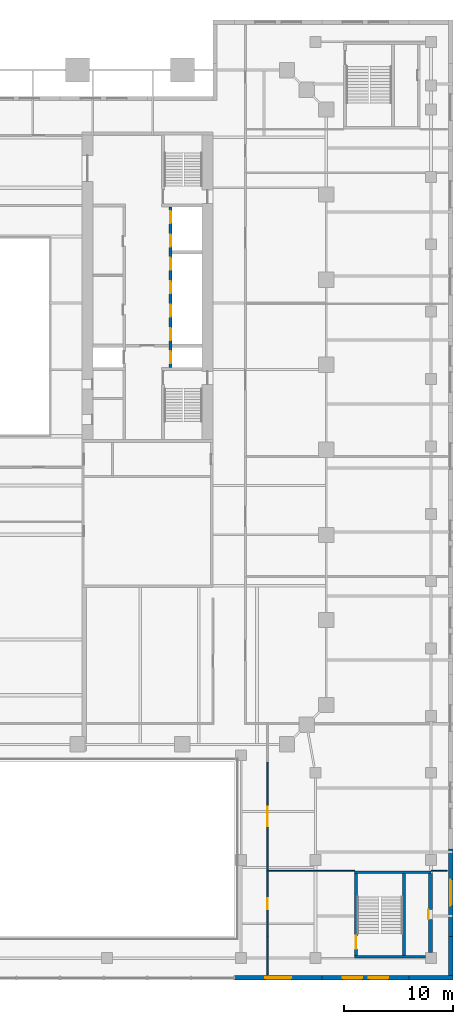
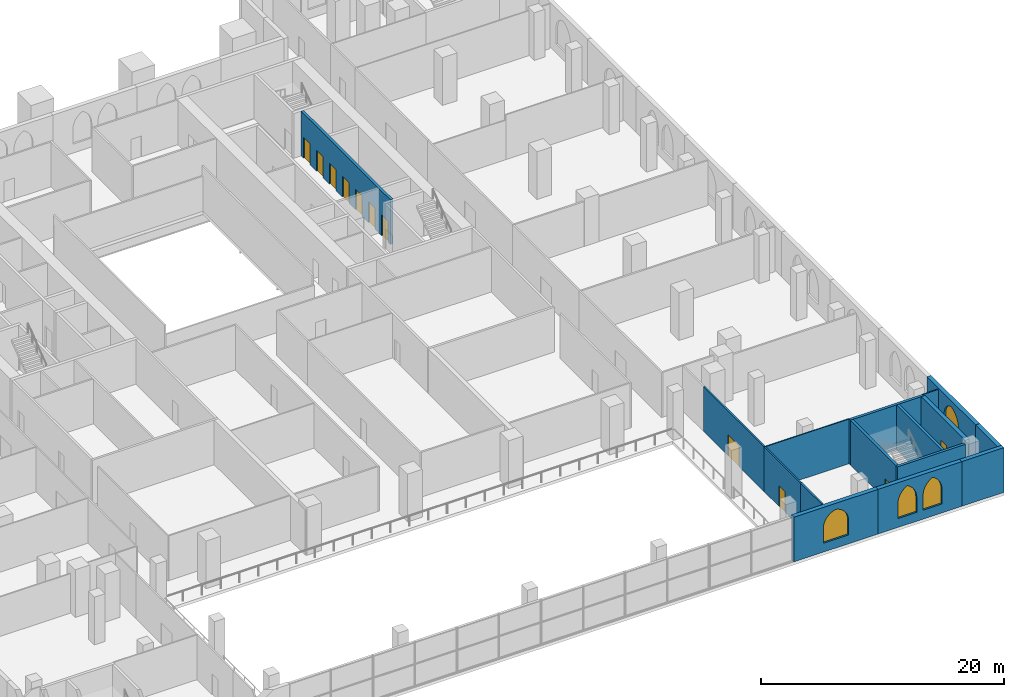
# One storey, part 12 of 19: 16 walls, 11 doors, 4 windows, 15 openings.
"""IFC4 building model written with IfcOpenShell, lengths in metres."""

from ifc_helpers import new_model, si_unit, direction, frame, frame_2d, origin, place, context, subcontext, project, spatial, polyline, rectangle, outline, extrude, material, layer, layer_set, type_object, element, fill, save


model = new_model("IFC4")

# Units and contexts
model_context = context("Model", 3, precision=1e-05, world=origin(), true_north=direction((0.0, 1.0)))
body_context = subcontext(model_context, "Body", "Model", "MODEL_VIEW")
ifc_project = project(units=[si_unit("LENGTHUNIT", "METRE"), si_unit("AREAUNIT", "SQUARE_METRE"), si_unit("VOLUMEUNIT", "CUBIC_METRE"), si_unit("PLANEANGLEUNIT", "RADIAN"), si_unit("MASSUNIT", "GRAM", prefix="KILO")], contexts=[model_context])

# Site, building, storey
site_placement = place(None, origin())
site = spatial("IfcSite", under=ifc_project, at=site_placement, CompositionType="ELEMENT")
building_placement = place(site_placement, origin())
building = spatial("IfcBuilding", under=site, at=building_placement, Name="Ogive Exchange Tower", CompositionType="ELEMENT")
storey_placement = place(building_placement, frame((0.0, 0.0, 19.199951171875)))
storey = spatial("IfcBuildingStorey", under=building, at=storey_placement, Name="L03", CompositionType="ELEMENT", Elevation=19.199951171875)

# Wall
ifc_material_1 = material(Name="Fire partition EI 60 150")
ifc_layer_1 = layer(ifc_material_1, 0.14990234375)
ifc_layer_set_1 = layer_set([ifc_layer_1], Name="Fire partition EI 60 150")
wall_type_1 = type_object("IfcWallType", Name="Fire partition EI 60 150", PredefinedType="PARTITIONING", material=ifc_layer_set_1)
wall_1_placement = place(storey_placement, frame((27.0, -51.5, 0.0), z_axis=(0.0, 0.0, 1.0), x_axis=(0.0, 1.0, 0.0)))
element("IfcWall", 1, at=wall_1_placement, inside=storey, type_object=wall_type_1, Name="L03-PWL-064", PredefinedType="PARTITIONING", context=body_context, shape_type="SweptSolid", body=[
    extrude(rectangle(XDim=3.5, YDim=0.14990234375, at=frame_2d((1.75, 0.0))), origin(), (0.0, 0.0, 1.0), 4.5),
])

# Wall, opening, door
wall_2_placement = place(storey_placement, frame((27.0, -48.0, 0.0), z_axis=(0.0, 0.0, 1.0), x_axis=(0.0, 1.0, 0.0)))
wall_2 = element("IfcWall", 2, at=wall_2_placement, inside=storey, type_object=wall_type_1, Name="L03-PWL-065", PredefinedType="PARTITIONING", context=body_context, shape_type="SweptSolid", body=[
    extrude(rectangle(XDim=6.0, YDim=0.14990234375, at=frame_2d((3.0, 0.0))), origin(), (0.0, 0.0, 1.0), 4.5),
])
opening_1_placement = place(wall_2_placement, frame((2.5, 0.0, 0.0)))
opening_1 = element("IfcOpeningElement", 3, at=opening_1_placement, cuts=wall_2, Name="Opening L03-I16", PredefinedType="OPENING", context=body_context, shape_type="SweptSolid", body=[
    extrude(rectangle(XDim=1.0, YDim=2.10009765625, at=frame_2d((0.5, 1.050048828125))), frame((0.0, 0.0849609375, 0.0), z_axis=(0.0, -1.0, 0.0), x_axis=(1.0, 0.0, 0.0)), (0.0, 0.0, 1.0), 0.169921875),
])
ifc_material_2 = material(Name="Fire door FD 30S 1000 x 2100")
door_type_1 = type_object("IfcDoorType", Name="Fire door FD 30S 1000 x 2100", OperationType="NOTDEFINED", PredefinedType="DOOR", material=ifc_material_2)
door_1_placement = place(opening_1_placement, frame((1.0, 0.0, 0.0), z_axis=(0.0, 0.0, 1.0), x_axis=(-1.0, 0.0, 0.0)))
door_1 = element("IfcDoor", 4, at=door_1_placement, inside=storey, type_object=door_type_1, Name="L03-IDR-016", ObjectType="DT3", OperationType="SINGLE_SWING_RIGHT", OverallHeight=2.10009765625, OverallWidth=1.0, PredefinedType="DOOR", context=body_context, shape_type="SweptSolid", body=[
    extrude(rectangle(XDim=1.0, YDim=2.10009765625, at=frame_2d((0.5, 1.050048828125))), frame((0.0, 0.02490234375, 0.0), z_axis=(0.0, -1.0, 0.0), x_axis=(1.0, 0.0, 0.0)), (0.0, 0.0, 1.0), 0.050048828125),
])
fill(opening_1, door_1)

wall_3_placement = place(storey_placement, frame((27.0, -42.0, 0.0), z_axis=(0.0, 0.0, 1.0), x_axis=(0.0, 1.0, 0.0)))
wall_3 = element("IfcWall", 5, at=wall_3_placement, inside=storey, type_object=wall_type_1, Name="L03-PWL-066", PredefinedType="PARTITIONING", context=body_context, shape_type="SweptSolid", body=[
    extrude(rectangle(XDim=10.0, YDim=0.14990234375, at=frame_2d((5.0, 0.0))), origin(), (0.0, 0.0, 1.0), 4.5),
])
opening_2_placement = place(wall_3_placement, frame((4.10009765625, 0.0, 0.0)))
opening_2 = element("IfcOpeningElement", 6, at=opening_2_placement, cuts=wall_3, Name="Opening L03-I17", PredefinedType="OPENING", context=body_context, shape_type="SweptSolid", body=[
    extrude(rectangle(XDim=1.800048828125, YDim=2.10009765625, at=frame_2d((0.89990234375, 1.050048828125))), frame((0.0, 0.0849609375, 0.0), z_axis=(0.0, -1.0, 0.0), x_axis=(1.0, 0.0, 0.0)), (0.0, 0.0, 1.0), 0.169921875),
])
ifc_material_3 = material(Name="Fire door FD 30S 1800 x 2100")
door_type_2 = type_object("IfcDoorType", Name="Fire door FD 30S 1800 x 2100", OperationType="DOUBLE_DOOR_SINGLE_SWING", PredefinedType="DOOR", material=ifc_material_3)
door_2_placement = place(opening_2_placement, frame((1.800048828125, 0.0, 0.0), z_axis=(0.0, 0.0, 1.0), x_axis=(-1.0, 0.0, 0.0)))
door_2 = element("IfcDoor", 7, at=door_2_placement, inside=storey, type_object=door_type_2, Name="L03-IDR-017", ObjectType="DT4", OperationType="SINGLE_SWING_RIGHT", OverallHeight=2.10009765625, OverallWidth=1.800048828125, PredefinedType="DOOR", context=body_context, shape_type="SweptSolid", body=[
    extrude(rectangle(XDim=1.800048828125, YDim=2.10009765625, at=frame_2d((0.89990234375, 1.050048828125))), frame((0.0, 0.02490234375, 0.0), z_axis=(0.0, -1.0, 0.0), x_axis=(1.0, 0.0, 0.0)), (0.0, 0.0, 1.0), 0.050048828125),
])
fill(opening_2, door_2)

# Wall, opening, window
ifc_material_4 = material(Name="Precast concrete C40/50", Category="concrete")
ifc_layer_2 = layer(ifc_material_4, 0.39990234375)
ifc_layer_set_2 = layer_set([ifc_layer_2], Name="Limestone-faced wall 400")
wall_type_2 = type_object("IfcWallType", Name="Limestone-faced wall 400", PredefinedType="STANDARD", material=ifc_layer_set_2)
wall_4_placement = place(storey_placement, frame((24.0, -51.800048828125, 0.0), z_axis=(0.0, 0.0, 1.0), x_axis=(1.0, 0.0, 0.0)))
wall_4 = element("IfcWall", 8, at=wall_4_placement, inside=storey, type_object=wall_type_2, Name="Podium wall S10", PredefinedType="STANDARD", context=body_context, shape_type="SweptSolid", body=[
    extrude(rectangle(XDim=8.0, YDim=0.39990234375, at=frame_2d((4.0, 0.0))), origin(), (0.0, 0.0, 1.0), 4.5),
])
opening_3_placement = place(wall_4_placement, frame((2.800048828125, 0.0, 0.89990234375)))
opening_3 = element("IfcOpeningElement", 9, at=opening_3_placement, cuts=wall_4, Name="Opening WP300", PredefinedType="OPENING", context=body_context, shape_type="SweptSolid", body=[
    extrude(outline(polyline([(0.0, 0.0), (2.39990234375, 0.0), (2.39990234375, 1.5), (2.378173828125, 1.758056640625), (2.313232421875, 2.009033203125), (2.207275390625, 2.245361328125), (2.06298828125, 2.46044921875), (1.884765625, 2.6484375), (1.677490234375, 2.8037109375), (1.447021484375, 2.922119140625), (1.199951171875, 3.0), (0.952880859375, 2.922119140625), (0.722412109375, 2.8037109375), (0.51513671875, 2.6484375), (0.3369140625, 2.46044921875), (0.192626953125, 2.245361328125), (0.086669921875, 2.009033203125), (0.021728515625, 1.758056640625), (0.0, 1.5), (0.0, 0.0)])), frame((0.0, 0.2099609375, 0.0), z_axis=(0.0, -1.0, 0.0), x_axis=(1.0, 0.0, 0.0)), (0.0, 0.0, 1.0), 0.419921875),
])
ifc_material_5 = material(Name="Clear glass in bronze frame", Category="glass")
window_type_1 = type_object("IfcWindowType", Name="Podium lancet window 2400 x 3000", PartitioningType="DOUBLE_PANEL_VERTICAL", PredefinedType="WINDOW", material=ifc_material_5)
window_1_placement = place(opening_3_placement, origin())
window_1 = element("IfcWindow", 10, at=window_1_placement, inside=storey, type_object=window_type_1, Name="Podium window S10", OverallHeight=3.0, OverallWidth=2.39990234375, PartitioningType="DOUBLE_PANEL_VERTICAL", PredefinedType="WINDOW", context=body_context, shape_type="SweptSolid", body=[
    extrude(outline(polyline([(0.0, 0.0), (2.39990234375, 0.0), (2.39990234375, 1.5), (2.378173828125, 1.758056640625), (2.313232421875, 2.009033203125), (2.207275390625, 2.245361328125), (2.06298828125, 2.46044921875), (1.884765625, 2.6484375), (1.677490234375, 2.8037109375), (1.447021484375, 2.922119140625), (1.199951171875, 3.0), (0.952880859375, 2.922119140625), (0.722412109375, 2.8037109375), (0.51513671875, 2.6484375), (0.3369140625, 2.46044921875), (0.192626953125, 2.245361328125), (0.086669921875, 2.009033203125), (0.021728515625, 1.758056640625), (0.0, 1.5), (0.0, 0.0)])), frame((0.0, 0.030029296875, 0.0), z_axis=(0.0, -1.0, 0.0), x_axis=(1.0, 0.0, 0.0)), (0.0, 0.0, 1.0), 0.06005859375),
])
fill(opening_3, window_1)

# Wall, openings, windows
wall_5_placement = place(storey_placement, frame((32.0, -51.800048828125, 0.0), z_axis=(0.0, 0.0, 1.0), x_axis=(1.0, 0.0, 0.0)))
wall_5 = element("IfcWall", 11, at=wall_5_placement, inside=storey, type_object=wall_type_2, Name="Podium wall S11", PredefinedType="STANDARD", context=body_context, shape_type="SweptSolid", body=[
    extrude(rectangle(XDim=8.0, YDim=0.39990234375, at=frame_2d((4.0, 0.0))), origin(), (0.0, 0.0, 1.0), 4.5),
])
opening_4_placement = place(wall_5_placement, frame((1.89990234375, 0.0, 0.89990234375)))
opening_4 = element("IfcOpeningElement", 12, at=opening_4_placement, cuts=wall_5, Name="Opening WQ300", PredefinedType="OPENING", context=body_context, shape_type="SweptSolid", body=[
    extrude(outline(polyline([(0.0, 0.0), (1.800048828125, 0.0), (1.800048828125, 1.5), (1.78466796875, 1.72900390625), (1.73828125, 1.953857421875), (1.662353515625, 2.17041015625), (1.557861328125, 2.374755859375), (1.4267578125, 2.56298828125), (1.271484375, 2.73193359375), (1.0947265625, 2.878662109375), (0.89990234375, 3.0), (0.705322265625, 2.878662109375), (0.528564453125, 2.73193359375), (0.373291015625, 2.56298828125), (0.2421875, 2.374755859375), (0.1376953125, 2.17041015625), (0.061767578125, 1.953857421875), (0.015380859375, 1.72900390625), (0.0, 1.5), (0.0, 0.0)])), frame((0.0, 0.2099609375, 0.0), z_axis=(0.0, -1.0, 0.0), x_axis=(1.0, 0.0, 0.0)), (0.0, 0.0, 1.0), 0.419921875),
])
opening_5_placement = place(wall_5_placement, frame((4.300048828125, 0.0, 0.89990234375)))
opening_5 = element("IfcOpeningElement", 13, at=opening_5_placement, cuts=wall_5, Name="Opening WQ300", PredefinedType="OPENING", context=body_context, shape_type="SweptSolid", body=[
    extrude(outline(polyline([(0.0, 0.0), (1.800048828125, 0.0), (1.800048828125, 1.5), (1.78466796875, 1.72900390625), (1.73828125, 1.953857421875), (1.662353515625, 2.17041015625), (1.557861328125, 2.374755859375), (1.4267578125, 2.56298828125), (1.271484375, 2.73193359375), (1.0947265625, 2.878662109375), (0.89990234375, 3.0), (0.705322265625, 2.878662109375), (0.528564453125, 2.73193359375), (0.373291015625, 2.56298828125), (0.2421875, 2.374755859375), (0.1376953125, 2.17041015625), (0.061767578125, 1.953857421875), (0.015380859375, 1.72900390625), (0.0, 1.5), (0.0, 0.0)])), frame((0.0, 0.2099609375, 0.0), z_axis=(0.0, -1.0, 0.0), x_axis=(1.0, 0.0, 0.0)), (0.0, 0.0, 1.0), 0.419921875),
])
window_type_2 = type_object("IfcWindowType", Name="Podium paired lancet 1800 x 3000", PartitioningType="DOUBLE_PANEL_VERTICAL", PredefinedType="WINDOW", material=ifc_material_5)
window_2_placement = place(opening_4_placement, origin())
window_2 = element("IfcWindow", 14, at=window_2_placement, inside=storey, type_object=window_type_2, Name="Podium paired lancet S11.1", OverallHeight=3.0, OverallWidth=1.800048828125, PartitioningType="DOUBLE_PANEL_VERTICAL", PredefinedType="WINDOW", context=body_context, shape_type="SweptSolid", body=[
    extrude(outline(polyline([(0.0, 0.0), (1.800048828125, 0.0), (1.800048828125, 1.5), (1.78466796875, 1.72900390625), (1.73828125, 1.953857421875), (1.662353515625, 2.17041015625), (1.557861328125, 2.374755859375), (1.4267578125, 2.56298828125), (1.271484375, 2.73193359375), (1.0947265625, 2.878662109375), (0.89990234375, 3.0), (0.705322265625, 2.878662109375), (0.528564453125, 2.73193359375), (0.373291015625, 2.56298828125), (0.2421875, 2.374755859375), (0.1376953125, 2.17041015625), (0.061767578125, 1.953857421875), (0.015380859375, 1.72900390625), (0.0, 1.5), (0.0, 0.0)])), frame((0.0, 0.030029296875, 0.0), z_axis=(0.0, -1.0, 0.0), x_axis=(1.0, 0.0, 0.0)), (0.0, 0.0, 1.0), 0.06005859375),
])
fill(opening_4, window_2)
window_3_placement = place(opening_5_placement, origin())
window_3 = element("IfcWindow", 15, at=window_3_placement, inside=storey, type_object=window_type_2, Name="Podium paired lancet S11.2", OverallHeight=3.0, OverallWidth=1.800048828125, PartitioningType="DOUBLE_PANEL_VERTICAL", PredefinedType="WINDOW", context=body_context, shape_type="SweptSolid", body=[
    extrude(outline(polyline([(0.0, 0.0), (1.800048828125, 0.0), (1.800048828125, 1.5), (1.78466796875, 1.72900390625), (1.73828125, 1.953857421875), (1.662353515625, 2.17041015625), (1.557861328125, 2.374755859375), (1.4267578125, 2.56298828125), (1.271484375, 2.73193359375), (1.0947265625, 2.878662109375), (0.89990234375, 3.0), (0.705322265625, 2.878662109375), (0.528564453125, 2.73193359375), (0.373291015625, 2.56298828125), (0.2421875, 2.374755859375), (0.1376953125, 2.17041015625), (0.061767578125, 1.953857421875), (0.015380859375, 1.72900390625), (0.0, 1.5), (0.0, 0.0)])), frame((0.0, 0.030029296875, 0.0), z_axis=(0.0, -1.0, 0.0), x_axis=(1.0, 0.0, 0.0)), (0.0, 0.0, 1.0), 0.06005859375),
])
fill(opening_5, window_3)

# Walls
wall_6_placement = place(storey_placement, frame((40.0, -51.800048828125, 0.0), z_axis=(0.0, 0.0, 1.0), x_axis=(1.0, 0.0, 0.0)))
element("IfcWall", 16, at=wall_6_placement, inside=storey, type_object=wall_type_2, Name="Podium wall S12", PredefinedType="STANDARD", context=body_context, shape_type="SweptSolid", body=[
    extrude(rectangle(XDim=4.0, YDim=0.39990234375, at=frame_2d((2.0, 0.0))), origin(), (0.0, 0.0, 1.0), 4.5),
])
wall_7_placement = place(storey_placement, frame((43.800048828125, -51.60009765625, 0.0), z_axis=(0.0, 0.0, 1.0), x_axis=(0.0, 1.0, 0.0)))
element("IfcWall", 17, at=wall_7_placement, inside=storey, type_object=wall_type_2, Name="Podium wall E1", PredefinedType="STANDARD", context=body_context, shape_type="SweptSolid", body=[
    extrude(rectangle(XDim=3.60009765625, YDim=0.39990234375, at=frame_2d((1.800048828125, 0.0))), origin(), (0.0, 0.0, 1.0), 4.5),
])

# Wall, opening, window
wall_8_placement = place(storey_placement, frame((43.800048828125, -48.0, 0.0), z_axis=(0.0, 0.0, 1.0), x_axis=(0.0, 1.0, 0.0)))
wall_8 = element("IfcWall", 18, at=wall_8_placement, inside=storey, type_object=wall_type_2, Name="Podium wall E2", PredefinedType="STANDARD", context=body_context, shape_type="SweptSolid", body=[
    extrude(rectangle(XDim=8.0, YDim=0.39990234375, at=frame_2d((4.0, 0.0))), origin(), (0.0, 0.0, 1.0), 4.5),
])
opening_6_placement = place(wall_8_placement, frame((2.800048828125, 0.0, 0.89990234375)))
opening_6 = element("IfcOpeningElement", 19, at=opening_6_placement, cuts=wall_8, Name="Opening WP300", PredefinedType="OPENING", context=body_context, shape_type="SweptSolid", body=[
    extrude(outline(polyline([(0.0, 0.0), (2.39990234375, 0.0), (2.39990234375, 1.5), (2.378173828125, 1.758056640625), (2.313232421875, 2.009033203125), (2.207275390625, 2.245361328125), (2.06298828125, 2.46044921875), (1.884765625, 2.6484375), (1.677490234375, 2.8037109375), (1.447021484375, 2.922119140625), (1.199951171875, 3.0), (0.952880859375, 2.922119140625), (0.722412109375, 2.8037109375), (0.51513671875, 2.6484375), (0.3369140625, 2.46044921875), (0.192626953125, 2.245361328125), (0.086669921875, 2.009033203125), (0.021728515625, 1.758056640625), (0.0, 1.5), (0.0, 0.0)])), frame((0.0, 0.2099609375, 0.0), z_axis=(0.0, -1.0, 0.0), x_axis=(1.0, 0.0, 0.0)), (0.0, 0.0, 1.0), 0.419921875),
])
window_4_placement = place(opening_6_placement, origin())
window_4 = element("IfcWindow", 20, at=window_4_placement, inside=storey, type_object=window_type_1, Name="Podium window E2", OverallHeight=3.0, OverallWidth=2.39990234375, PartitioningType="DOUBLE_PANEL_VERTICAL", PredefinedType="WINDOW", context=body_context, shape_type="SweptSolid", body=[
    extrude(outline(polyline([(0.0, 0.0), (2.39990234375, 0.0), (2.39990234375, 1.5), (2.378173828125, 1.758056640625), (2.313232421875, 2.009033203125), (2.207275390625, 2.245361328125), (2.06298828125, 2.46044921875), (1.884765625, 2.6484375), (1.677490234375, 2.8037109375), (1.447021484375, 2.922119140625), (1.199951171875, 3.0), (0.952880859375, 2.922119140625), (0.722412109375, 2.8037109375), (0.51513671875, 2.6484375), (0.3369140625, 2.46044921875), (0.192626953125, 2.245361328125), (0.086669921875, 2.009033203125), (0.021728515625, 1.758056640625), (0.0, 1.5), (0.0, 0.0)])), frame((0.0, 0.030029296875, 0.0), z_axis=(0.0, -1.0, 0.0), x_axis=(1.0, 0.0, 0.0)), (0.0, 0.0, 1.0), 0.06005859375),
])
fill(opening_6, window_4)

# Walls
ifc_material_6 = material(Name="Partition 100 gypsum")
ifc_layer_3 = layer(ifc_material_6, 0.10009765625)
ifc_layer_set_3 = layer_set([ifc_layer_3], Name="Partition 100 gypsum")
wall_type_3 = type_object("IfcWallType", Name="Partition 100 gypsum", PredefinedType="PARTITIONING", material=ifc_layer_set_3)
wall_9_placement = place(storey_placement, frame((27.074951171875, -42.0, 0.0), z_axis=(0.0, 0.0, 1.0), x_axis=(1.0, 0.0, 0.0)))
element("IfcWall", 21, at=wall_9_placement, inside=storey, type_object=wall_type_3, Name="L03-PWL-003", PredefinedType="PARTITIONING", context=body_context, shape_type="SweptSolid", body=[
    extrude(rectangle(XDim=7.925048828125, YDim=0.10009765625, at=frame_2d((3.96240234375, 0.0))), origin(), (0.0, 0.0, 1.0), 4.5),
])
wall_10_placement = place(storey_placement, frame((42.0, -42.0, 0.0), z_axis=(0.0, 0.0, 1.0), x_axis=(1.0, 0.0, 0.0)))
element("IfcWall", 22, at=wall_10_placement, inside=storey, type_object=wall_type_3, Name="L03-PWL-004", PredefinedType="PARTITIONING", context=body_context, shape_type="SweptSolid", body=[
    extrude(rectangle(XDim=1.5, YDim=0.10009765625, at=frame_2d((0.75, 0.0))), origin(), (0.0, 0.0, 1.0), 4.5),
])

# Wall, openings, doors
ifc_material_7 = material(Name="Concrete C70/85", Category="concrete")
ifc_layer_4 = layer(ifc_material_7, 0.25)
ifc_layer_set_4 = layer_set([ifc_layer_4], Name="RC core wall 250 C70/85")
wall_type_4 = type_object("IfcWallType", Name="RC core wall 250 C70/85", PredefinedType="SHEAR", material=ifc_layer_set_4)
wall_11_placement = place(storey_placement, frame((18.125, 4.14990234375, 0.0), z_axis=(0.0, 0.0, 1.0), x_axis=(0.0, 1.0, 0.0)))
wall_11 = element("IfcWall", 23, at=wall_11_placement, inside=storey, type_object=wall_type_4, Name="E row A front wall", PredefinedType="SHEAR", context=body_context, shape_type="SweptSolid", body=[
    extrude(rectangle(XDim=14.7001953125, YDim=0.25, at=frame_2d((7.35009765625, 0.0))), origin(), (0.0, 0.0, 1.0), 4.5),
])
opening_7_placement = place(wall_11_placement, frame((0.371337890625, 0.0, 0.0)))
opening_7 = element("IfcOpeningElement", 24, at=opening_7_placement, cuts=wall_11, Name="Opening L03-C24", PredefinedType="OPENING", context=body_context, shape_type="SweptSolid", body=[
    extrude(rectangle(XDim=1.10009765625, YDim=2.10009765625, at=frame_2d((0.550048828125, 1.050048828125))), frame((0.0, 0.135009765625, 0.0), z_axis=(0.0, -1.0, 0.0), x_axis=(1.0, 0.0, 0.0)), (0.0, 0.0, 1.0), 0.27001953125),
])
opening_8_placement = place(wall_11_placement, frame((2.514404296875, 0.0, 0.0)))
opening_8 = element("IfcOpeningElement", 25, at=opening_8_placement, cuts=wall_11, Name="Opening L03-C25", PredefinedType="OPENING", context=body_context, shape_type="SweptSolid", body=[
    extrude(rectangle(XDim=1.10009765625, YDim=2.10009765625, at=frame_2d((0.550048828125, 1.050048828125))), frame((0.0, 0.135009765625, 0.0), z_axis=(0.0, -1.0, 0.0), x_axis=(1.0, 0.0, 0.0)), (0.0, 0.0, 1.0), 0.27001953125),
])
opening_9_placement = place(wall_11_placement, frame((4.656982421875, 0.0, 0.0)))
opening_9 = element("IfcOpeningElement", 26, at=opening_9_placement, cuts=wall_11, Name="Opening L03-C26", PredefinedType="OPENING", context=body_context, shape_type="SweptSolid", body=[
    extrude(rectangle(XDim=1.10009765625, YDim=2.10009765625, at=frame_2d((0.550048828125, 1.050048828125))), frame((0.0, 0.135009765625, 0.0), z_axis=(0.0, -1.0, 0.0), x_axis=(1.0, 0.0, 0.0)), (0.0, 0.0, 1.0), 0.27001953125),
])
opening_10_placement = place(wall_11_placement, frame((6.800048828125, 0.0, 0.0)))
opening_10 = element("IfcOpeningElement", 27, at=opening_10_placement, cuts=wall_11, Name="Opening L03-C27", PredefinedType="OPENING", context=body_context, shape_type="SweptSolid", body=[
    extrude(rectangle(XDim=1.10009765625, YDim=2.10009765625, at=frame_2d((0.550048828125, 1.050048828125))), frame((0.0, 0.135009765625, 0.0), z_axis=(0.0, -1.0, 0.0), x_axis=(1.0, 0.0, 0.0)), (0.0, 0.0, 1.0), 0.27001953125),
])
opening_11_placement = place(wall_11_placement, frame((8.94287109375, 0.0, 0.0)))
opening_11 = element("IfcOpeningElement", 28, at=opening_11_placement, cuts=wall_11, Name="Opening L03-C28", PredefinedType="OPENING", context=body_context, shape_type="SweptSolid", body=[
    extrude(rectangle(XDim=1.10009765625, YDim=2.10009765625, at=frame_2d((0.550048828125, 1.050048828125))), frame((0.0, 0.135009765625, 0.0), z_axis=(0.0, -1.0, 0.0), x_axis=(1.0, 0.0, 0.0)), (0.0, 0.0, 1.0), 0.27001953125),
])
opening_12_placement = place(wall_11_placement, frame((11.085693359375, 0.0, 0.0)))
opening_12 = element("IfcOpeningElement", 29, at=opening_12_placement, cuts=wall_11, Name="Opening L03-C29", PredefinedType="OPENING", context=body_context, shape_type="SweptSolid", body=[
    extrude(rectangle(XDim=1.10009765625, YDim=2.10009765625, at=frame_2d((0.550048828125, 1.050048828125))), frame((0.0, 0.135009765625, 0.0), z_axis=(0.0, -1.0, 0.0), x_axis=(1.0, 0.0, 0.0)), (0.0, 0.0, 1.0), 0.27001953125),
])
opening_13_placement = place(wall_11_placement, frame((13.228515625, 0.0, 0.0)))
opening_13 = element("IfcOpeningElement", 30, at=opening_13_placement, cuts=wall_11, Name="Opening L03-C30", PredefinedType="OPENING", context=body_context, shape_type="SweptSolid", body=[
    extrude(rectangle(XDim=1.10009765625, YDim=2.10009765625, at=frame_2d((0.550048828125, 1.050048828125))), frame((0.0, 0.135009765625, 0.0), z_axis=(0.0, -1.0, 0.0), x_axis=(1.0, 0.0, 0.0)), (0.0, 0.0, 1.0), 0.27001953125),
])
ifc_material_8 = material(Name="Stainless steel", Category="steel")
door_type_3 = type_object("IfcDoorType", Name="Lift landing door FD90 1100 x 2100", OperationType="SLIDING_TO_LEFT", PredefinedType="DOOR", material=ifc_material_8)
door_3_placement = place(opening_7_placement, origin())
door_3 = element("IfcDoor", 31, at=door_3_placement, inside=storey, type_object=door_type_3, Name="Lift landing door FF2", ObjectType="LD", OperationType="SLIDING_TO_LEFT", OverallHeight=2.10009765625, OverallWidth=1.10009765625, PredefinedType="DOOR", context=body_context, shape_type="SweptSolid", body=[
    extrude(rectangle(XDim=1.10009765625, YDim=2.10009765625, at=frame_2d((0.550048828125, 1.050048828125))), frame((0.0, 0.02490234375, 0.0), z_axis=(0.0, -1.0, 0.0), x_axis=(1.0, 0.0, 0.0)), (0.0, 0.0, 1.0), 0.050048828125),
])
fill(opening_7, door_3)
door_4_placement = place(opening_8_placement, origin())
door_4 = element("IfcDoor", 32, at=door_4_placement, inside=storey, type_object=door_type_3, Name="Lift landing door E-L1", ObjectType="LD", OperationType="SLIDING_TO_LEFT", OverallHeight=2.10009765625, OverallWidth=1.10009765625, PredefinedType="DOOR", context=body_context, shape_type="SweptSolid", body=[
    extrude(rectangle(XDim=1.10009765625, YDim=2.10009765625, at=frame_2d((0.550048828125, 1.050048828125))), frame((0.0, 0.02490234375, 0.0), z_axis=(0.0, -1.0, 0.0), x_axis=(1.0, 0.0, 0.0)), (0.0, 0.0, 1.0), 0.050048828125),
])
fill(opening_8, door_4)
door_5_placement = place(opening_9_placement, origin())
door_5 = element("IfcDoor", 33, at=door_5_placement, inside=storey, type_object=door_type_3, Name="Lift landing door E-L2", ObjectType="LD", OperationType="SLIDING_TO_LEFT", OverallHeight=2.10009765625, OverallWidth=1.10009765625, PredefinedType="DOOR", context=body_context, shape_type="SweptSolid", body=[
    extrude(rectangle(XDim=1.10009765625, YDim=2.10009765625, at=frame_2d((0.550048828125, 1.050048828125))), frame((0.0, 0.02490234375, 0.0), z_axis=(0.0, -1.0, 0.0), x_axis=(1.0, 0.0, 0.0)), (0.0, 0.0, 1.0), 0.050048828125),
])
fill(opening_9, door_5)
door_6_placement = place(opening_10_placement, origin())
door_6 = element("IfcDoor", 34, at=door_6_placement, inside=storey, type_object=door_type_3, Name="Lift landing door E-L3", ObjectType="LD", OperationType="SLIDING_TO_LEFT", OverallHeight=2.10009765625, OverallWidth=1.10009765625, PredefinedType="DOOR", context=body_context, shape_type="SweptSolid", body=[
    extrude(rectangle(XDim=1.10009765625, YDim=2.10009765625, at=frame_2d((0.550048828125, 1.050048828125))), frame((0.0, 0.02490234375, 0.0), z_axis=(0.0, -1.0, 0.0), x_axis=(1.0, 0.0, 0.0)), (0.0, 0.0, 1.0), 0.050048828125),
])
fill(opening_10, door_6)
door_7_placement = place(opening_11_placement, origin())
door_7 = element("IfcDoor", 35, at=door_7_placement, inside=storey, type_object=door_type_3, Name="Lift landing door E-L4", ObjectType="LD", OperationType="SLIDING_TO_LEFT", OverallHeight=2.10009765625, OverallWidth=1.10009765625, PredefinedType="DOOR", context=body_context, shape_type="SweptSolid", body=[
    extrude(rectangle(XDim=1.10009765625, YDim=2.10009765625, at=frame_2d((0.550048828125, 1.050048828125))), frame((0.0, 0.02490234375, 0.0), z_axis=(0.0, -1.0, 0.0), x_axis=(1.0, 0.0, 0.0)), (0.0, 0.0, 1.0), 0.050048828125),
])
fill(opening_11, door_7)
door_8_placement = place(opening_12_placement, origin())
door_8 = element("IfcDoor", 36, at=door_8_placement, inside=storey, type_object=door_type_3, Name="Lift landing door E-SH1", ObjectType="LD", OperationType="SLIDING_TO_LEFT", OverallHeight=2.10009765625, OverallWidth=1.10009765625, PredefinedType="DOOR", context=body_context, shape_type="SweptSolid", body=[
    extrude(rectangle(XDim=1.10009765625, YDim=2.10009765625, at=frame_2d((0.550048828125, 1.050048828125))), frame((0.0, 0.02490234375, 0.0), z_axis=(0.0, -1.0, 0.0), x_axis=(1.0, 0.0, 0.0)), (0.0, 0.0, 1.0), 0.050048828125),
])
fill(opening_12, door_8)
door_9_placement = place(opening_13_placement, origin())
door_9 = element("IfcDoor", 37, at=door_9_placement, inside=storey, type_object=door_type_3, Name="Lift landing door E-SH2", ObjectType="LD", OperationType="SLIDING_TO_LEFT", OverallHeight=2.10009765625, OverallWidth=1.10009765625, PredefinedType="DOOR", context=body_context, shape_type="SweptSolid", body=[
    extrude(rectangle(XDim=1.10009765625, YDim=2.10009765625, at=frame_2d((0.550048828125, 1.050048828125))), frame((0.0, 0.02490234375, 0.0), z_axis=(0.0, -1.0, 0.0), x_axis=(1.0, 0.0, 0.0)), (0.0, 0.0, 1.0), 0.050048828125),
])
fill(opening_13, door_9)

# Walls
wall_12_placement = place(storey_placement, frame((35.0, -49.875, 0.0), z_axis=(0.0, 0.0, 1.0), x_axis=(1.0, 0.0, 0.0)))
element("IfcWall", 38, at=wall_12_placement, inside=storey, type_object=wall_type_4, Name="PS2 south wall", PredefinedType="SHEAR", context=body_context, shape_type="SweptSolid", body=[
    extrude(rectangle(XDim=6.5, YDim=0.25, at=frame_2d((3.25, 0.0))), origin(), (0.0, 0.0, 1.0), 4.5),
])
wall_13_placement = place(storey_placement, frame((35.0, -42.125, 0.0), z_axis=(0.0, 0.0, 1.0), x_axis=(1.0, 0.0, 0.0)))
element("IfcWall", 39, at=wall_13_placement, inside=storey, type_object=wall_type_4, Name="PS2 north wall", PredefinedType="SHEAR", context=body_context, shape_type="SweptSolid", body=[
    extrude(rectangle(XDim=7.0, YDim=0.25, at=frame_2d((3.5, 0.0))), origin(), (0.0, 0.0, 1.0), 4.5),
])

# Wall, opening, door
wall_14_placement = place(storey_placement, frame((35.125, -49.75, 0.0), z_axis=(0.0, 0.0, 1.0), x_axis=(0.0, 1.0, 0.0)))
wall_14 = element("IfcWall", 40, at=wall_14_placement, inside=storey, type_object=wall_type_4, Name="PS2 west wall", PredefinedType="SHEAR", context=body_context, shape_type="SweptSolid", body=[
    extrude(rectangle(XDim=7.5, YDim=0.25, at=frame_2d((3.75, 0.0))), origin(), (0.0, 0.0, 1.0), 4.5),
])
opening_14_placement = place(wall_14_placement, frame((0.60009765625, 0.0, 0.0)))
opening_14 = element("IfcOpeningElement", 41, at=opening_14_placement, cuts=wall_14, Name="Opening L03-C47", PredefinedType="OPENING", context=body_context, shape_type="SweptSolid", body=[
    extrude(rectangle(XDim=1.199951171875, YDim=2.10009765625, at=frame_2d((0.60009765625, 1.050048828125))), frame((0.0, 0.135009765625, 0.0), z_axis=(0.0, -1.0, 0.0), x_axis=(1.0, 0.0, 0.0)), (0.0, 0.0, 1.0), 0.27001953125),
])
ifc_material_9 = material(Name="Steel fire door", Category="steel")
door_type_4 = type_object("IfcDoorType", Name="Stair door FD90 1200 x 2100", OperationType="NOTDEFINED", PredefinedType="DOOR", material=ifc_material_9)
door_10_placement = place(opening_14_placement, origin())
door_10 = element("IfcDoor", 42, at=door_10_placement, inside=storey, type_object=door_type_4, Name="Stair door", ObjectType="CD5", OperationType="SINGLE_SWING_RIGHT", OverallHeight=2.10009765625, OverallWidth=1.199951171875, PredefinedType="DOOR", context=body_context, shape_type="SweptSolid", body=[
    extrude(rectangle(XDim=1.199951171875, YDim=2.10009765625, at=frame_2d((0.60009765625, 1.050048828125))), frame((0.0, 0.02490234375, 0.0), z_axis=(0.0, -1.0, 0.0), x_axis=(1.0, 0.0, 0.0)), (0.0, 0.0, 1.0), 0.050048828125),
])
fill(opening_14, door_10)

# Wall
wall_15_placement = place(storey_placement, frame((39.52490234375, -49.75, 0.0), z_axis=(0.0, 0.0, 1.0), x_axis=(0.0, 1.0, 0.0)))
element("IfcWall", 43, at=wall_15_placement, inside=storey, type_object=wall_type_4, Name="PS2 partition wall", PredefinedType="SHEAR", context=body_context, shape_type="SweptSolid", body=[
    extrude(rectangle(XDim=7.5, YDim=0.25, at=frame_2d((3.75, 0.0))), origin(), (0.0, 0.0, 1.0), 4.5),
])

# Wall, opening, door
ifc_layer_5 = layer(ifc_material_7, 0.383544921875)
ifc_layer_set_5 = layer_set([ifc_layer_5], Name="RC core wall 384 C70/85")
wall_type_5 = type_object("IfcWallType", Name="RC core wall 384 C70/85", PredefinedType="SHEAR", material=ifc_layer_set_5)
wall_16_placement = place(storey_placement, frame((41.941650390625, -49.5, 0.0), z_axis=(0.0, 0.0, 1.0), x_axis=(0.0, 1.0, 0.0)))
wall_16 = element("IfcWall", 44, at=wall_16_placement, inside=storey, type_object=wall_type_5, Name="PS2 east wall", PredefinedType="SHEAR", context=body_context, shape_type="SweptSolid", body=[
    extrude(rectangle(XDim=7.25, YDim=0.383544921875, at=frame_2d((3.625, 0.0))), origin(), (0.0, 0.0, 1.0), 4.5),
])
opening_15_placement = place(wall_16_placement, frame((3.050048828125, 0.0, 0.0)))
opening_15 = element("IfcOpeningElement", 45, at=opening_15_placement, cuts=wall_16, Name="Opening L03-C48", PredefinedType="OPENING", context=body_context, shape_type="SweptSolid", body=[
    extrude(rectangle(XDim=0.89990234375, YDim=2.10009765625, at=frame_2d((0.449951171875, 1.050048828125))), frame((0.0, 0.20166015625, 0.0), z_axis=(0.0, -1.0, 0.0), x_axis=(1.0, 0.0, 0.0)), (0.0, 0.0, 1.0), 0.403564453125),
])
door_type_5 = type_object("IfcDoorType", Name="Riser door FD60 900 x 2100", OperationType="NOTDEFINED", PredefinedType="DOOR", material=ifc_material_9)
door_11_placement = place(opening_15_placement, frame((0.89990234375, 0.33349609375, 0.0), z_axis=(0.0, 0.0, 1.0), x_axis=(-1.0, 0.0, 0.0)))
door_11 = element("IfcDoor", 46, at=door_11_placement, inside=storey, type_object=door_type_5, Name="Riser door", ObjectType="CD2", OperationType="SINGLE_SWING_RIGHT", OverallHeight=2.10009765625, OverallWidth=0.89990234375, PredefinedType="DOOR", context=body_context, shape_type="SweptSolid", body=[
    extrude(rectangle(XDim=0.89990234375, YDim=2.10009765625, at=frame_2d((0.449951171875, 1.050048828125))), frame((0.0, 0.19189453125, 0.0), z_axis=(0.0, -1.0, 0.0), x_axis=(1.0, 0.0, 0.0)), (0.0, 0.0, 1.0), 0.050048828125),
])
fill(opening_15, door_11)

save(model, "model.ifc")
